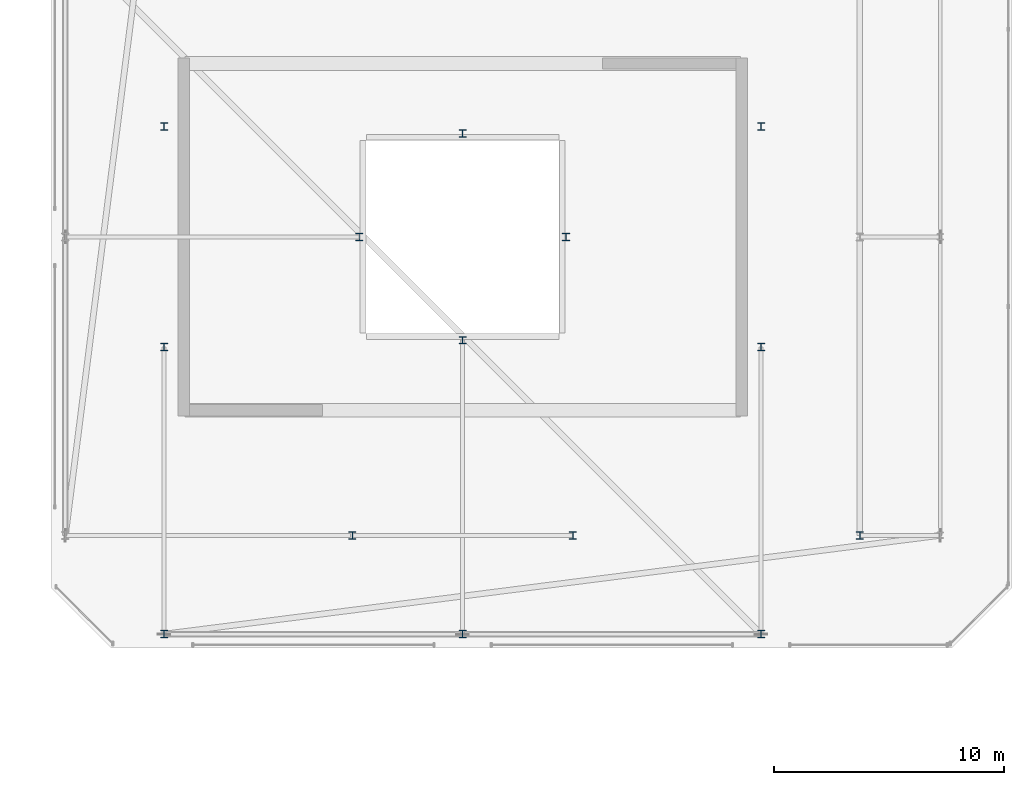
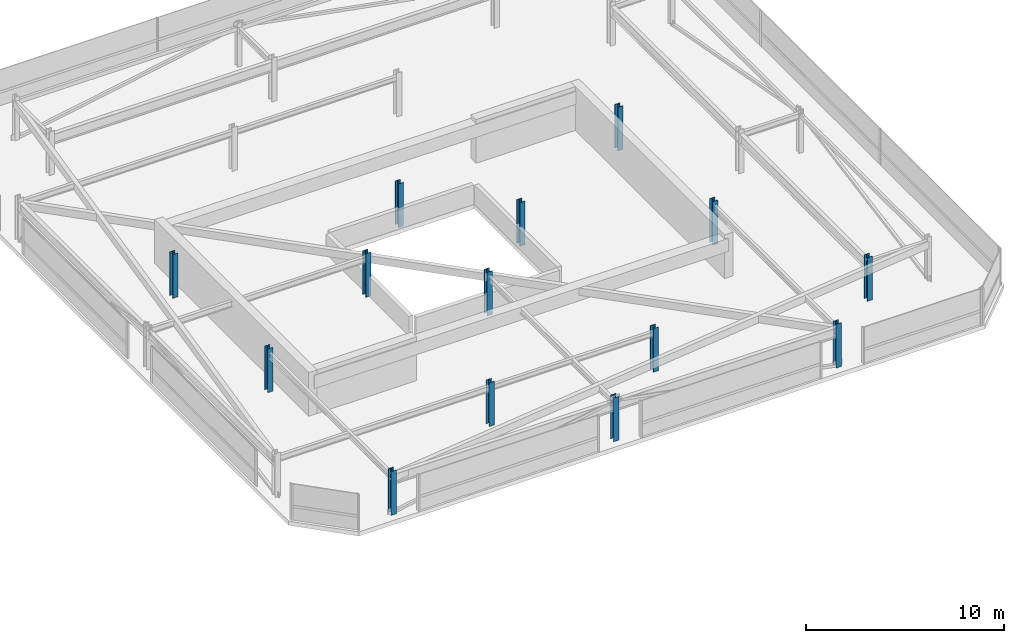
# One storey, part 6 of 44: 14 columns.
"""IFC4 building model written with IfcOpenShell, lengths in metres."""

from ifc_helpers import new_model, si_unit, direction, frame, origin, origin_2d, place, context, subcontext, project, spatial, i_section, extrude, material, material_profile, profile_set, type_object, element, save


model = new_model("IFC4")

# Units and contexts
model_context = context("Model", 3, precision=1e-05, world=origin(), true_north=direction((0.0, 1.0)))
body_context = subcontext(model_context, "Body", "Model", "MODEL_VIEW")
ifc_project = project(units=[si_unit("LENGTHUNIT", "METRE"), si_unit("AREAUNIT", "SQUARE_METRE"), si_unit("VOLUMEUNIT", "CUBIC_METRE"), si_unit("PLANEANGLEUNIT", "RADIAN"), si_unit("MASSUNIT", "GRAM", prefix="KILO")], contexts=[model_context])

# Site, building, storey
site_placement = place(None, origin())
site = spatial("IfcSite", under=ifc_project, at=site_placement, CompositionType="ELEMENT")
building_placement = place(site_placement, origin())
building = spatial("IfcBuilding", under=site, at=building_placement, Name="Thornwick Lancets Civic Towers", CompositionType="ELEMENT")
storey_placement = place(building_placement, frame((0.0, 0.0, 294.89990234375)))
storey = spatial("IfcBuildingStorey", under=building, at=storey_placement, Name="C06", CompositionType="ELEMENT", Elevation=294.89990234375)

# Columns
ifc_material = material(Name="Steel S355JR", Category="steel")
ifc_material_profile = material_profile(ifc_material, i_section(OverallWidth=0.30908203125, OverallDepth=0.320556640625, WebThickness=0.013916015625, FlangeThickness=0.021728515625, FilletRadius=0.01513671875, at=origin_2d()), Name="UKC 305x305x137")
ifc_profile_set = profile_set([ifc_material_profile], Name="Steel S355JR")
column_type = type_object("IfcColumnType", Name="COL_UKC_137", PredefinedType="COLUMN", material=ifc_profile_set)
for number, where, z_axis, x_axis, name in (
    (1, (105.800048828125, 14.0, 0.0), (0.0, 0.0, 1.0), (1.0, 0.0, 0.0), "C06 Spine Mega-Column B01"),
    (2, (101.5, 9.699951171875, 0.0), (0.0, 0.0, 1.0), (1.0, 0.0, 0.0), "C06 Spine Mega-Column B10"),
    (3, (88.5, 9.699951171875, 0.0), (0.0, 0.0, 1.0), (1.0, 0.0, 0.0), "C06 Spine Mega-Column B11"),
    (4, (75.5, 9.699951171875, 0.0), (0.0, 0.0, 1.0), (1.0, 0.0, 0.0), "C06 Spine Mega-Column B12"),
    (5, (93.300048828125, 14.0, 0.0), (0.0, 0.0, 1.0), (1.0, 0.0, 0.0), "C06 Spine Mega-Column B13"),
    (6, (83.699951171875, 14.0, 0.0), (0.0, 0.0, 1.0), (1.0, 0.0, 0.0), "C06 Spine Mega-Column B15"),
    (7, (101.5, 22.199951171875, 0.0), (0.0, 0.0, 1.0), (1.0, 0.0, 0.0), "C06 Spine Mega-Column B17"),
    (8, (101.5, 31.800048828125, 0.0), (0.0, 0.0, 1.0), (1.0, 0.0, 0.0), "C06 Spine Mega-Column B18"),
    (9, (75.5, 22.199951171875, 0.0), (0.0, 0.0, 1.0), (1.0, 0.0, 0.0), "C06 Spine Mega-Column B19"),
    (10, (75.5, 31.800048828125, 0.0), (0.0, 0.0, 1.0), (1.0, 0.0, 0.0), "C06 Spine Mega-Column B20"),
    (11, (93.0, 27.0, 0.0), (0.0, 0.0, 1.0), (1.0, 0.0, 0.0), "C06 Spine Mega-Column B21"),
    (12, (84.0, 27.0, 0.0), (0.0, 0.0, 1.0), (1.0, 0.0, 0.0), "C06 Spine Mega-Column B22"),
    (13, (88.5, 22.5, 0.0), (0.0, 0.0, 1.0), (1.0, 0.0, 0.0), "C06 Spine Mega-Column B23"),
    (14, (88.5, 31.5, 0.0), (0.0, 0.0, 1.0), (1.0, 0.0, 0.0), "C06 Spine Mega-Column B24"),
):
    element("IfcColumn", number, at=place(storey_placement, frame(where, z_axis=z_axis, x_axis=x_axis)), inside=storey, type_object=column_type, Name=name, PredefinedType="COLUMN", context=body_context, shape_type="SweptSolid", body=[
        extrude(i_section(OverallWidth=0.30908203125, OverallDepth=0.320556640625, WebThickness=0.013916015625, FlangeThickness=0.021728515625, FilletRadius=0.01513671875, at=origin_2d()), origin(), (0.0, 0.0, 1.0), 2.7001953125),
    ])

save(model, "model.ifc")
